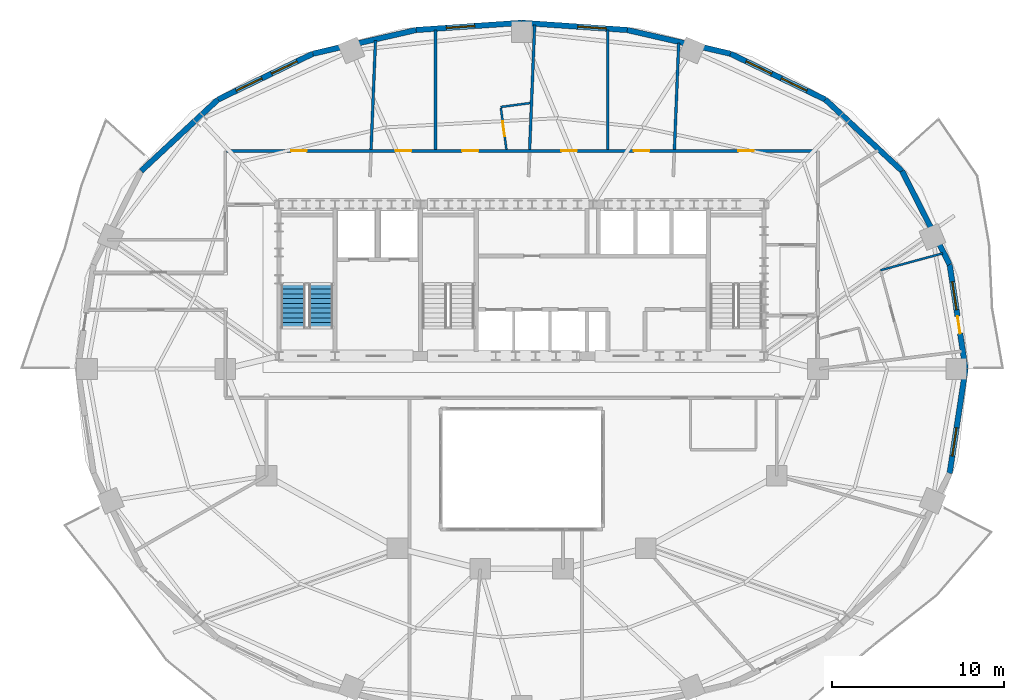
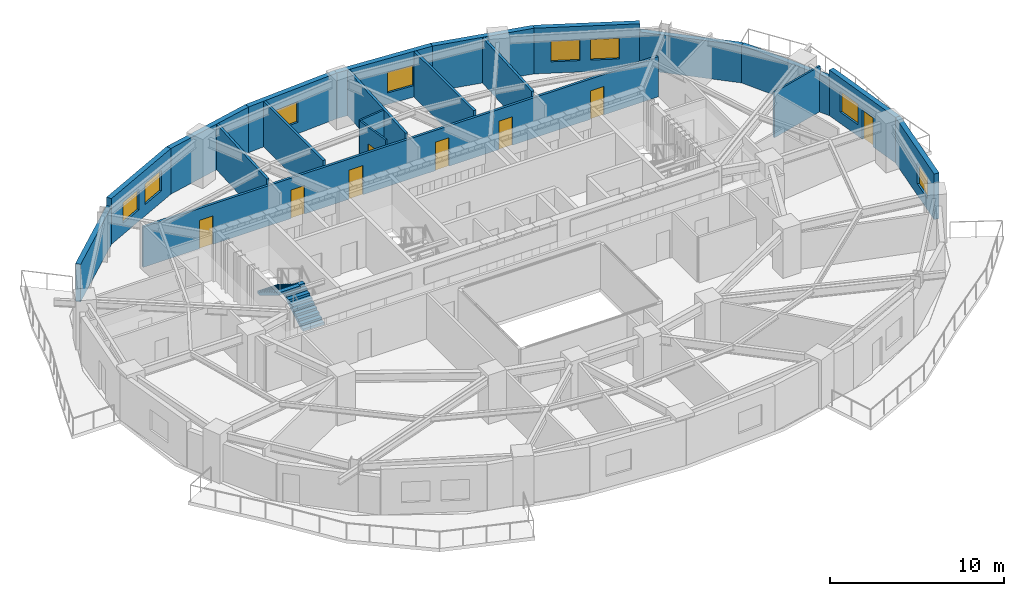
# One storey, part 8 of 13: 20 walls, 8 doors, 8 windows, 2 stair flights, 16 openings, 1 element without a shape of its own.
"""IFC4 building model written with IfcOpenShell, lengths in metres."""

from ifc_helpers import new_model, si_unit, direction, frame, frame_2d, origin, place, context, subcontext, project, spatial, polyline, rectangle, outline, extrude, material, layer, layer_set, type_object, element, fill, aggregate, save


model = new_model("IFC4")

# Units and contexts
model_context = context("Model", 3, precision=1e-05, world=origin(), true_north=direction((0.0, 1.0)))
body_context = subcontext(model_context, "Body", "Model", "MODEL_VIEW")
ifc_project = project(units=[si_unit("LENGTHUNIT", "METRE"), si_unit("AREAUNIT", "SQUARE_METRE"), si_unit("VOLUMEUNIT", "CUBIC_METRE"), si_unit("PLANEANGLEUNIT", "RADIAN"), si_unit("MASSUNIT", "GRAM", prefix="KILO")], contexts=[model_context])

# Site, building, storey
site_placement = place(None, origin())
site = spatial("IfcSite", under=ifc_project, at=site_placement, CompositionType="ELEMENT")
building_placement = place(site_placement, origin())
building = spatial("IfcBuilding", under=site, at=building_placement, Name="Haldorwick Loom Tower", CompositionType="ELEMENT")
storey_placement = place(building_placement, frame((0.0, 0.0, 142.550048828125)))
storey = spatial("IfcBuildingStorey", under=building, at=storey_placement, Name="L38", CompositionType="ELEMENT", Elevation=142.550048828125)

# Wall, openings, door, window
ifc_material_1 = material(Name="Pressed Clay Face Brick and Insulated Masonry Backup Assembly", Category="masonry")
ifc_layer_1 = layer(ifc_material_1, 0.320068359375, Name="Pressed Clay Face Brick and Insulated Masonry Backup Assembly", Category="masonry")
ifc_layer_set_1 = layer_set([ifc_layer_1], Name="Pressed Clay Face Brick and Insulated Masonry Backup Assembly")
wall_type_1 = type_object("IfcWallType", Name="ARC-WL-EXT320", PredefinedType="STANDARD", material=ifc_layer_set_1)
wall_1_placement = place(storey_placement, frame((61.757080078125, 26.0, 0.0), z_axis=(0.0, 0.0, 1.0), x_axis=(-0.150544467684, 0.988603238539, 0.0)))
wall_1 = element("IfcWall", 1, at=wall_1_placement, inside=storey, type_object=wall_type_1, Name="L38 Brick Pier and Spandrel Wall 1", PredefinedType="STANDARD", context=body_context, shape_type="SweptSolid", body=[
    extrude(rectangle(XDim=6.125244140625, YDim=0.320068359375, at=frame_2d((3.0625, 0.0))), origin(), (0.0, 0.0, 1.0), 3.2099609375),
])
opening_1_placement = place(wall_1_placement, frame((2.08203125, 0.0, 0.0)))
opening_1 = element("IfcOpeningElement", 2, at=opening_1_placement, cuts=wall_1, Name="Opening D-BL10", PredefinedType="OPENING", context=body_context, shape_type="SweptSolid", body=[
    extrude(rectangle(XDim=1.0, YDim=2.0400390625, at=frame_2d((0.5, 1.02001953125))), frame((0.0, 0.169921875, 0.0), z_axis=(0.0, -1.0, 0.0), x_axis=(1.0, 0.0, 0.0)), (0.0, 0.0, 1.0), 0.340087890625),
])
opening_2_placement = place(wall_1_placement, frame((3.462646484375, 0.0, 0.800048828125)))
opening_2 = element("IfcOpeningElement", 3, at=opening_2_placement, cuts=wall_1, Name="Opening W-01B", PredefinedType="OPENING", context=body_context, shape_type="SweptSolid", body=[
    extrude(rectangle(XDim=1.64990234375, YDim=1.449951171875, at=frame_2d((0.824951171875, 0.72509765625))), frame((0.0, 0.169921875, 0.0), z_axis=(0.0, -1.0, 0.0), x_axis=(1.0, 0.0, 0.0)), (0.0, 0.0, 1.0), 0.340087890625),
])
ifc_material_2 = material(Name="Thermally Broken Anodized Aluminium Curtain Wall Framing", Category="aluminium")
door_type_1 = type_object("IfcDoorType", Name="ARC-DR-BAL100", OperationType="NOTDEFINED", PredefinedType="DOOR", material=ifc_material_2)
door_1_placement = place(opening_1_placement, origin())
door_1 = element("IfcDoor", 4, at=door_1_placement, inside=storey, type_object=door_type_1, Name="L38 Outdoor Terrace Door SLB-L38-BAL_ENE", OperationType="SINGLE_SWING_RIGHT", OverallHeight=2.0400390625, OverallWidth=1.0, PredefinedType="DOOR", context=body_context, shape_type="SweptSolid", body=[
    extrude(rectangle(XDim=1.0, YDim=2.0400390625, at=frame_2d((0.5, 1.02001953125))), frame((0.0, 0.02490234375, 0.0), z_axis=(0.0, -1.0, 0.0), x_axis=(1.0, 0.0, 0.0)), (0.0, 0.0, 1.0), 0.050048828125),
])
fill(opening_1, door_1)
ifc_material_3 = material(Name="Triple-Glazed Low-E Argon Insulated Glazing Unit", Category="glass")
window_type = type_object("IfcWindowType", Name="ARC-WIN-W165", PartitioningType="SINGLE_PANEL", PredefinedType="WINDOW", material=ifc_material_3)
window_1_placement = place(opening_2_placement, origin())
window_1 = element("IfcWindow", 5, at=window_1_placement, inside=storey, type_object=window_type, Name="L38 Deep-Set Zone 7A Window 1", OverallHeight=1.449951171875, OverallWidth=1.64990234375, PartitioningType="SINGLE_PANEL", PredefinedType="WINDOW", context=body_context, shape_type="SweptSolid", body=[
    extrude(rectangle(XDim=1.64990234375, YDim=1.449951171875, at=frame_2d((0.824951171875, 0.72509765625))), frame((0.0, 0.030029296875, 0.0), z_axis=(0.0, -1.0, 0.0), x_axis=(1.0, 0.0, 0.0)), (0.0, 0.0, 1.0), 0.06005859375),
])
fill(opening_2, window_1)

# Walls
wall_2_placement = place(storey_placement, frame((60.8349609375, 32.055419921875, 0.0), z_axis=(0.0, 0.0, 1.0), x_axis=(-0.453172129629, 0.89142303141, 0.0)))
element("IfcWall", 6, at=wall_2_placement, inside=storey, type_object=wall_type_1, Name="L38 Brick Pier and Spandrel Wall 2", PredefinedType="STANDARD", context=body_context, shape_type="SweptSolid", body=[
    extrude(rectangle(XDim=6.086669921875, YDim=0.320068359375, at=frame_2d((3.04345703125, 0.0))), origin(), (0.0, 0.0, 1.0), 2.640869140625),
])
wall_3_placement = place(storey_placement, frame((58.07666015625, 37.481201171875, 0.0), z_axis=(0.0, 0.0, 1.0), x_axis=(-0.732001571644, 0.681302942244, 0.0)))
element("IfcWall", 7, at=wall_3_placement, inside=storey, type_object=wall_type_1, Name="L38 Brick Pier and Spandrel Wall 3", PredefinedType="STANDARD", context=body_context, shape_type="SweptSolid", body=[
    extrude(rectangle(XDim=6.0869140625, YDim=0.320068359375, at=frame_2d((3.04345703125, 0.0))), origin(), (0.0, 0.0, 1.0), 2.640869140625),
])

# Wall, openings, windows
wall_4_placement = place(storey_placement, frame((53.62109375, 41.628173828125, 0.0), z_axis=(0.0, 0.0, 1.0), x_axis=(-0.900472429216, 0.43491309962, 0.0)))
wall_4 = element("IfcWall", 8, at=wall_4_placement, inside=storey, type_object=wall_type_1, Name="L38 Brick Pier and Spandrel Wall 4", PredefinedType="STANDARD", context=body_context, shape_type="SweptSolid", body=[
    extrude(rectangle(XDim=6.1181640625, YDim=0.320068359375, at=frame_2d((3.05908203125, 0.0))), origin(), (0.0, 0.0, 1.0), 3.2099609375),
])
opening_3_placement = place(wall_4_placement, frame((1.181884765625, 0.0, 0.800048828125)))
opening_3 = element("IfcOpeningElement", 9, at=opening_3_placement, cuts=wall_4, Name="Opening W-01B", PredefinedType="OPENING", context=body_context, shape_type="SweptSolid", body=[
    extrude(rectangle(XDim=1.64990234375, YDim=1.449951171875, at=frame_2d((0.824951171875, 0.72509765625))), frame((0.0, 0.169921875, 0.0), z_axis=(0.0, -1.0, 0.0), x_axis=(1.0, 0.0, 0.0)), (0.0, 0.0, 1.0), 0.340087890625),
])
opening_4_placement = place(wall_4_placement, frame((3.4580078125, 0.0, 0.800048828125)))
opening_4 = element("IfcOpeningElement", 10, at=opening_4_placement, cuts=wall_4, Name="Opening W-01B", PredefinedType="OPENING", context=body_context, shape_type="SweptSolid", body=[
    extrude(rectangle(XDim=1.64990234375, YDim=1.449951171875, at=frame_2d((0.824951171875, 0.72509765625))), frame((0.0, 0.169921875, 0.0), z_axis=(0.0, -1.0, 0.0), x_axis=(1.0, 0.0, 0.0)), (0.0, 0.0, 1.0), 0.340087890625),
])
window_2_placement = place(opening_3_placement, origin())
window_2 = element("IfcWindow", 11, at=window_2_placement, inside=storey, type_object=window_type, Name="L38 Deep-Set Zone 7A Window 4", OverallHeight=1.449951171875, OverallWidth=1.64990234375, PartitioningType="SINGLE_PANEL", PredefinedType="WINDOW", context=body_context, shape_type="SweptSolid", body=[
    extrude(rectangle(XDim=1.64990234375, YDim=1.449951171875, at=frame_2d((0.824951171875, 0.72509765625))), frame((0.0, 0.030029296875, 0.0), z_axis=(0.0, -1.0, 0.0), x_axis=(1.0, 0.0, 0.0)), (0.0, 0.0, 1.0), 0.06005859375),
])
fill(opening_3, window_2)
window_3_placement = place(opening_4_placement, origin())
window_3 = element("IfcWindow", 12, at=window_3_placement, inside=storey, type_object=window_type, Name="L38 Deep-Set Zone 7A Window 4", OverallHeight=1.449951171875, OverallWidth=1.64990234375, PartitioningType="SINGLE_PANEL", PredefinedType="WINDOW", context=body_context, shape_type="SweptSolid", body=[
    extrude(rectangle(XDim=1.64990234375, YDim=1.449951171875, at=frame_2d((0.824951171875, 0.72509765625))), frame((0.0, 0.030029296875, 0.0), z_axis=(0.0, -1.0, 0.0), x_axis=(1.0, 0.0, 0.0)), (0.0, 0.0, 1.0), 0.06005859375),
])
fill(opening_4, window_3)

# Wall
wall_5_placement = place(storey_placement, frame((48.11181640625, 44.2890625, 0.0), z_axis=(0.0, 0.0, 1.0), x_axis=(-0.974593223547, 0.223982250674, 0.0)))
element("IfcWall", 13, at=wall_5_placement, inside=storey, type_object=wall_type_1, Name="L38 Brick Pier and Spandrel Wall 5", PredefinedType="STANDARD", context=body_context, shape_type="SweptSolid", body=[
    extrude(rectangle(XDim=6.138916015625, YDim=0.320068359375, at=frame_2d((3.0693359375, 0.0))), origin(), (0.0, 0.0, 1.0), 3.2099609375),
])

# Wall, opening, window
wall_6_placement = place(storey_placement, frame((42.12890625, 45.6640625, 0.0), z_axis=(0.0, 0.0, 1.0), x_axis=(-0.997652942988, 0.068473391522, 0.0)))
wall_6 = element("IfcWall", 14, at=wall_6_placement, inside=storey, type_object=wall_type_1, Name="L38 Brick Pier and Spandrel Wall 6", PredefinedType="STANDARD", context=body_context, shape_type="SweptSolid", body=[
    extrude(rectangle(XDim=6.143310546875, YDim=0.320068359375, at=frame_2d((3.07177734375, 0.0))), origin(), (0.0, 0.0, 1.0), 3.2099609375),
])
opening_5_placement = place(wall_6_placement, frame((1.233642578125, 0.0, 0.800048828125)))
opening_5 = element("IfcOpeningElement", 15, at=opening_5_placement, cuts=wall_6, Name="Opening W-01B", PredefinedType="OPENING", context=body_context, shape_type="SweptSolid", body=[
    extrude(rectangle(XDim=1.64990234375, YDim=1.449951171875, at=frame_2d((0.824951171875, 0.72509765625))), frame((0.0, 0.169921875, 0.0), z_axis=(0.0, -1.0, 0.0), x_axis=(1.0, 0.0, 0.0)), (0.0, 0.0, 1.0), 0.340087890625),
])
window_4_placement = place(opening_5_placement, origin())
window_4 = element("IfcWindow", 16, at=window_4_placement, inside=storey, type_object=window_type, Name="L38 Deep-Set Zone 7A Window 6", OverallHeight=1.449951171875, OverallWidth=1.64990234375, PartitioningType="SINGLE_PANEL", PredefinedType="WINDOW", context=body_context, shape_type="SweptSolid", body=[
    extrude(rectangle(XDim=1.64990234375, YDim=1.449951171875, at=frame_2d((0.824951171875, 0.72509765625))), frame((0.0, 0.030029296875, 0.0), z_axis=(0.0, -1.0, 0.0), x_axis=(1.0, 0.0, 0.0)), (0.0, 0.0, 1.0), 0.06005859375),
])
fill(opening_5, window_4)

wall_7_placement = place(storey_placement, frame((36.0, 46.084716796875, 0.0), z_axis=(0.0, 0.0, 1.0), x_axis=(-0.997652942988, -0.068473391522, 0.0)))
wall_7 = element("IfcWall", 17, at=wall_7_placement, inside=storey, type_object=wall_type_1, Name="L38 Brick Pier and Spandrel Wall 7", PredefinedType="STANDARD", context=body_context, shape_type="SweptSolid", body=[
    extrude(rectangle(XDim=6.143310546875, YDim=0.320068359375, at=frame_2d((3.07177734375, 0.0))), origin(), (0.0, 0.0, 1.0), 3.2099609375),
])
opening_6_placement = place(wall_7_placement, frame((2.723388671875, 0.0, 0.800048828125)))
opening_6 = element("IfcOpeningElement", 18, at=opening_6_placement, cuts=wall_7, Name="Opening W-01B", PredefinedType="OPENING", context=body_context, shape_type="SweptSolid", body=[
    extrude(rectangle(XDim=1.64990234375, YDim=1.449951171875, at=frame_2d((0.824951171875, 0.72509765625))), frame((0.0, 0.169921875, 0.0), z_axis=(0.0, -1.0, 0.0), x_axis=(1.0, 0.0, 0.0)), (0.0, 0.0, 1.0), 0.340087890625),
])
window_5_placement = place(opening_6_placement, origin())
window_5 = element("IfcWindow", 19, at=window_5_placement, inside=storey, type_object=window_type, Name="L38 Deep-Set Zone 7A Window 7", OverallHeight=1.449951171875, OverallWidth=1.64990234375, PartitioningType="SINGLE_PANEL", PredefinedType="WINDOW", context=body_context, shape_type="SweptSolid", body=[
    extrude(rectangle(XDim=1.64990234375, YDim=1.449951171875, at=frame_2d((0.824951171875, 0.72509765625))), frame((0.0, 0.030029296875, 0.0), z_axis=(0.0, -1.0, 0.0), x_axis=(1.0, 0.0, 0.0)), (0.0, 0.0, 1.0), 0.06005859375),
])
fill(opening_6, window_5)

# Wall
wall_8_placement = place(storey_placement, frame((29.87109375, 45.6640625, 0.0), z_axis=(0.0, 0.0, 1.0), x_axis=(-0.974593223547, -0.223982250674, 0.0)))
element("IfcWall", 20, at=wall_8_placement, inside=storey, type_object=wall_type_1, Name="L38 Brick Pier and Spandrel Wall 8", PredefinedType="STANDARD", context=body_context, shape_type="SweptSolid", body=[
    extrude(rectangle(XDim=6.138916015625, YDim=0.320068359375, at=frame_2d((3.0693359375, 0.0))), origin(), (0.0, 0.0, 1.0), 3.2099609375),
])

# Wall, openings, windows
wall_9_placement = place(storey_placement, frame((23.88818359375, 44.2890625, 0.0), z_axis=(0.0, 0.0, 1.0), x_axis=(-0.900479976617, -0.434897472644, 0.0)))
wall_9 = element("IfcWall", 21, at=wall_9_placement, inside=storey, type_object=wall_type_1, Name="L38 Brick Pier and Spandrel Wall 9", PredefinedType="STANDARD", context=body_context, shape_type="SweptSolid", body=[
    extrude(rectangle(XDim=6.118408203125, YDim=0.320068359375, at=frame_2d((3.05908203125, 0.0))), origin(), (0.0, 0.0, 1.0), 3.2099609375),
])
opening_7_placement = place(wall_9_placement, frame((1.010498046875, 0.0, 0.800048828125)))
opening_7 = element("IfcOpeningElement", 22, at=opening_7_placement, cuts=wall_9, Name="Opening W-01B", PredefinedType="OPENING", context=body_context, shape_type="SweptSolid", body=[
    extrude(rectangle(XDim=1.64990234375, YDim=1.449951171875, at=frame_2d((0.824951171875, 0.72509765625))), frame((0.0, 0.169921875, 0.0), z_axis=(0.0, -1.0, 0.0), x_axis=(1.0, 0.0, 0.0)), (0.0, 0.0, 1.0), 0.340087890625),
])
opening_8_placement = place(wall_9_placement, frame((3.28662109375, 0.0, 0.800048828125)))
opening_8 = element("IfcOpeningElement", 23, at=opening_8_placement, cuts=wall_9, Name="Opening W-01B", PredefinedType="OPENING", context=body_context, shape_type="SweptSolid", body=[
    extrude(rectangle(XDim=1.64990234375, YDim=1.449951171875, at=frame_2d((0.824951171875, 0.72509765625))), frame((0.0, 0.169921875, 0.0), z_axis=(0.0, -1.0, 0.0), x_axis=(1.0, 0.0, 0.0)), (0.0, 0.0, 1.0), 0.340087890625),
])
window_6_placement = place(opening_7_placement, origin())
window_6 = element("IfcWindow", 24, at=window_6_placement, inside=storey, type_object=window_type, Name="L38 Deep-Set Zone 7A Window 9", OverallHeight=1.449951171875, OverallWidth=1.64990234375, PartitioningType="SINGLE_PANEL", PredefinedType="WINDOW", context=body_context, shape_type="SweptSolid", body=[
    extrude(rectangle(XDim=1.64990234375, YDim=1.449951171875, at=frame_2d((0.824951171875, 0.72509765625))), frame((0.0, 0.030029296875, 0.0), z_axis=(0.0, -1.0, 0.0), x_axis=(1.0, 0.0, 0.0)), (0.0, 0.0, 1.0), 0.06005859375),
])
fill(opening_7, window_6)
window_7_placement = place(opening_8_placement, origin())
window_7 = element("IfcWindow", 25, at=window_7_placement, inside=storey, type_object=window_type, Name="L38 Deep-Set Zone 7A Window 9", OverallHeight=1.449951171875, OverallWidth=1.64990234375, PartitioningType="SINGLE_PANEL", PredefinedType="WINDOW", context=body_context, shape_type="SweptSolid", body=[
    extrude(rectangle(XDim=1.64990234375, YDim=1.449951171875, at=frame_2d((0.824951171875, 0.72509765625))), frame((0.0, 0.030029296875, 0.0), z_axis=(0.0, -1.0, 0.0), x_axis=(1.0, 0.0, 0.0)), (0.0, 0.0, 1.0), 0.06005859375),
])
fill(opening_8, window_7)

# Wall
wall_10_placement = place(storey_placement, frame((18.378662109375, 41.628173828125, 0.0), z_axis=(0.0, 0.0, 1.0), x_axis=(-0.731982952968, -0.681322945866, 0.0)))
element("IfcWall", 26, at=wall_10_placement, inside=storey, type_object=wall_type_1, Name="L38 Brick Pier and Spandrel Wall 10", PredefinedType="STANDARD", context=body_context, shape_type="SweptSolid", body=[
    extrude(rectangle(XDim=6.086669921875, YDim=0.320068359375, at=frame_2d((3.04345703125, 0.0))), origin(), (0.0, 0.0, 1.0), 2.640869140625),
])

# Wall, opening, window
wall_11_placement = place(storey_placement, frame((60.8349609375, 19.944580078125, 0.0), z_axis=(0.0, 0.0, 1.0), x_axis=(0.150544467684, 0.988603238539, 0.0)))
wall_11 = element("IfcWall", 27, at=wall_11_placement, inside=storey, type_object=wall_type_1, Name="L38 Brick Pier and Spandrel Wall 24", PredefinedType="STANDARD", context=body_context, shape_type="SweptSolid", body=[
    extrude(rectangle(XDim=6.125244140625, YDim=0.320068359375, at=frame_2d((3.0625, 0.0))), origin(), (0.0, 0.0, 1.0), 3.2099609375),
])
opening_9_placement = place(wall_11_placement, frame((1.0126953125, 0.0, 0.800048828125)))
opening_9 = element("IfcOpeningElement", 28, at=opening_9_placement, cuts=wall_11, Name="Opening W-01B", PredefinedType="OPENING", context=body_context, shape_type="SweptSolid", body=[
    extrude(rectangle(XDim=1.64990234375, YDim=1.449951171875, at=frame_2d((0.824951171875, 0.72509765625))), frame((0.0, 0.169921875, 0.0), z_axis=(0.0, -1.0, 0.0), x_axis=(1.0, 0.0, 0.0)), (0.0, 0.0, 1.0), 0.340087890625),
])
window_8_placement = place(opening_9_placement, origin())
window_8 = element("IfcWindow", 29, at=window_8_placement, inside=storey, type_object=window_type, Name="L38 Deep-Set Zone 7A Window 24", OverallHeight=1.449951171875, OverallWidth=1.64990234375, PartitioningType="SINGLE_PANEL", PredefinedType="WINDOW", context=body_context, shape_type="SweptSolid", body=[
    extrude(rectangle(XDim=1.64990234375, YDim=1.449951171875, at=frame_2d((0.824951171875, 0.72509765625))), frame((0.0, 0.030029296875, 0.0), z_axis=(0.0, -1.0, 0.0), x_axis=(1.0, 0.0, 0.0)), (0.0, 0.0, 1.0), 0.06005859375),
])
fill(opening_9, window_8)

# Wall, openings, doors
ifc_material_4 = material(Name="Fire-Rated Type X Gypsum Stud Assembly EI 60")
ifc_layer_2 = layer(ifc_material_4, 0.159912109375, Name="Fire-Rated Type X Gypsum Stud Assembly EI 60")
ifc_layer_set_2 = layer_set([ifc_layer_2], Name="Fire-Rated Type X Gypsum Stud Assembly EI 60")
wall_type_2 = type_object("IfcWallType", Name="ARC-WL-FIRE160", PredefinedType="PARTITIONING", material=ifc_layer_set_2)
wall_12_placement = place(storey_placement, frame((18.883056640625, 38.64990234375, 0.0), z_axis=(0.0, 0.0, 1.0), x_axis=(1.0, 0.0, 0.0)))
wall_12 = element("IfcWall", 30, at=wall_12_placement, inside=storey, type_object=wall_type_2, Name="L38 Residential Fire Partition L38-CR-N0", PredefinedType="PARTITIONING", context=body_context, shape_type="SweptSolid", body=[
    extrude(rectangle(XDim=34.23388671875, YDim=0.159912109375, at=frame_2d((17.116943359375, 0.0))), origin(), (0.0, 0.0, 1.0), 2.826904296875),
])
opening_10_placement = place(wall_12_placement, frame((3.746337890625, 0.0, 0.0)))
opening_10 = element("IfcOpeningElement", 31, at=opening_10_placement, cuts=wall_12, Name="Opening D-FD60A", PredefinedType="OPENING", context=body_context, shape_type="SweptSolid", body=[
    extrude(rectangle(XDim=0.89990234375, YDim=2.0, at=frame_2d((0.449951171875, 1.0))), frame((0.0, 0.08984375, 0.0), z_axis=(0.0, -1.0, 0.0), x_axis=(1.0, 0.0, 0.0)), (0.0, 0.0, 1.0), 0.179931640625),
])
opening_11_placement = place(wall_12_placement, frame((29.697998046875, 0.0, 0.0)))
opening_11 = element("IfcOpeningElement", 32, at=opening_11_placement, cuts=wall_12, Name="Opening D-FD60A", PredefinedType="OPENING", context=body_context, shape_type="SweptSolid", body=[
    extrude(rectangle(XDim=0.89990234375, YDim=2.0, at=frame_2d((0.449951171875, 1.0))), frame((0.0, 0.08984375, 0.0), z_axis=(0.0, -1.0, 0.0), x_axis=(1.0, 0.0, 0.0)), (0.0, 0.0, 1.0), 0.179931640625),
])
opening_12_placement = place(wall_12_placement, frame((19.427734375, 0.0, 0.0)))
opening_12 = element("IfcOpeningElement", 33, at=opening_12_placement, cuts=wall_12, Name="Opening D-FD60A", PredefinedType="OPENING", context=body_context, shape_type="SweptSolid", body=[
    extrude(rectangle(XDim=0.89990234375, YDim=2.0, at=frame_2d((0.449951171875, 1.0))), frame((0.0, 0.08984375, 0.0), z_axis=(0.0, -1.0, 0.0), x_axis=(1.0, 0.0, 0.0)), (0.0, 0.0, 1.0), 0.179931640625),
])
opening_13_placement = place(wall_12_placement, frame((13.660400390625, 0.0, 0.0)))
opening_13 = element("IfcOpeningElement", 34, at=opening_13_placement, cuts=wall_12, Name="Opening D-FL95", PredefinedType="OPENING", context=body_context, shape_type="SweptSolid", body=[
    extrude(rectangle(XDim=0.949951171875, YDim=2.0400390625, at=frame_2d((0.47509765625, 1.02001953125))), frame((0.0, 0.08984375, 0.0), z_axis=(0.0, -1.0, 0.0), x_axis=(1.0, 0.0, 0.0)), (0.0, 0.0, 1.0), 0.179931640625),
])
opening_14_placement = place(wall_12_placement, frame((23.624267578125, 0.0, 0.0)))
opening_14 = element("IfcOpeningElement", 35, at=opening_14_placement, cuts=wall_12, Name="Opening D-FD60A", PredefinedType="OPENING", context=body_context, shape_type="SweptSolid", body=[
    extrude(rectangle(XDim=0.89990234375, YDim=2.0, at=frame_2d((0.449951171875, 1.0))), frame((0.0, 0.08984375, 0.0), z_axis=(0.0, -1.0, 0.0), x_axis=(1.0, 0.0, 0.0)), (0.0, 0.0, 1.0), 0.179931640625),
])
opening_15_placement = place(wall_12_placement, frame((9.8203125, 0.0, 0.0)))
opening_15 = element("IfcOpeningElement", 36, at=opening_15_placement, cuts=wall_12, Name="Opening D-FD60A", PredefinedType="OPENING", context=body_context, shape_type="SweptSolid", body=[
    extrude(rectangle(XDim=0.89990234375, YDim=2.0, at=frame_2d((0.449951171875, 1.0))), frame((0.0, 0.08984375, 0.0), z_axis=(0.0, -1.0, 0.0), x_axis=(1.0, 0.0, 0.0)), (0.0, 0.0, 1.0), 0.179931640625),
])
ifc_material_5 = material(Name="Hollow Steel Fire Door Assembly", Category="steel")
door_type_2 = type_object("IfcDoorType", Name="ARC-DR-FD60-90", OperationType="NOTDEFINED", PredefinedType="DOOR", material=ifc_material_5)
door_2_placement = place(opening_10_placement, frame((0.89990234375, 0.0, 0.0), z_axis=(0.0, 0.0, 1.0), x_axis=(-1.0, 0.0, 0.0)))
door_2 = element("IfcDoor", 37, at=door_2_placement, inside=storey, type_object=door_type_2, Name="L38 Shared Resident Dining Hall 5 to L38 North Residential Corridor Door", OperationType="SINGLE_SWING_RIGHT", OverallHeight=2.0, OverallWidth=0.89990234375, PredefinedType="DOOR", context=body_context, shape_type="SweptSolid", body=[
    extrude(rectangle(XDim=0.89990234375, YDim=2.0, at=frame_2d((0.449951171875, 1.0))), frame((0.0, 0.02490234375, 0.0), z_axis=(0.0, -1.0, 0.0), x_axis=(1.0, 0.0, 0.0)), (0.0, 0.0, 1.0), 0.050048828125),
])
fill(opening_10, door_2)
door_3_placement = place(opening_11_placement, frame((0.89990234375, 0.0, 0.0), z_axis=(0.0, 0.0, 1.0), x_axis=(-1.0, 0.0, 0.0)))
door_3 = element("IfcDoor", 38, at=door_3_placement, inside=storey, type_object=door_type_2, Name="L38 Resident Cafe Room 2 to L38 North Residential Corridor Door", OperationType="SINGLE_SWING_LEFT", OverallHeight=2.0, OverallWidth=0.89990234375, PredefinedType="DOOR", context=body_context, shape_type="SweptSolid", body=[
    extrude(rectangle(XDim=0.89990234375, YDim=2.0, at=frame_2d((0.449951171875, 1.0))), frame((0.0, 0.02490234375, 0.0), z_axis=(0.0, -1.0, 0.0), x_axis=(1.0, 0.0, 0.0)), (0.0, 0.0, 1.0), 0.050048828125),
])
fill(opening_11, door_3)
door_4_placement = place(opening_12_placement, frame((0.89990234375, 0.0, 0.0), z_axis=(0.0, 0.0, 1.0), x_axis=(-1.0, 0.0, 0.0)))
door_4 = element("IfcDoor", 39, at=door_4_placement, inside=storey, type_object=door_type_2, Name="L38 Tenant Committee Meeting Room 12 to L38 North Residential Corridor D", OperationType="SINGLE_SWING_RIGHT", OverallHeight=2.0, OverallWidth=0.89990234375, PredefinedType="DOOR", context=body_context, shape_type="SweptSolid", body=[
    extrude(rectangle(XDim=0.89990234375, YDim=2.0, at=frame_2d((0.449951171875, 1.0))), frame((0.0, 0.02490234375, 0.0), z_axis=(0.0, -1.0, 0.0), x_axis=(1.0, 0.0, 0.0)), (0.0, 0.0, 1.0), 0.050048828125),
])
fill(opening_12, door_4)
door_5_placement = place(opening_14_placement, frame((0.89990234375, 0.0, 0.0), z_axis=(0.0, 0.0, 1.0), x_axis=(-1.0, 0.0, 0.0)))
door_5 = element("IfcDoor", 40, at=door_5_placement, inside=storey, type_object=door_type_2, Name="L38 Wellness Consultation Room 11 to L38 North Residential Corridor Door", OperationType="SINGLE_SWING_LEFT", OverallHeight=2.0, OverallWidth=0.89990234375, PredefinedType="DOOR", context=body_context, shape_type="SweptSolid", body=[
    extrude(rectangle(XDim=0.89990234375, YDim=2.0, at=frame_2d((0.449951171875, 1.0))), frame((0.0, 0.02490234375, 0.0), z_axis=(0.0, -1.0, 0.0), x_axis=(1.0, 0.0, 0.0)), (0.0, 0.0, 1.0), 0.050048828125),
])
fill(opening_14, door_5)
door_6_placement = place(opening_15_placement, frame((0.89990234375, 0.0, 0.0), z_axis=(0.0, 0.0, 1.0), x_axis=(-1.0, 0.0, 0.0)))
door_6 = element("IfcDoor", 41, at=door_6_placement, inside=storey, type_object=door_type_2, Name="L38 Tenant Committee Meeting Room 10 to L38 North Residential Corridor D", OperationType="SINGLE_SWING_LEFT", OverallHeight=2.0, OverallWidth=0.89990234375, PredefinedType="DOOR", context=body_context, shape_type="SweptSolid", body=[
    extrude(rectangle(XDim=0.89990234375, YDim=2.0, at=frame_2d((0.449951171875, 1.0))), frame((0.0, 0.02490234375, 0.0), z_axis=(0.0, -1.0, 0.0), x_axis=(1.0, 0.0, 0.0)), (0.0, 0.0, 1.0), 0.050048828125),
])
fill(opening_15, door_6)
ifc_material_6 = material(Name="Solid Core Birch Architectural Door")
door_type_3 = type_object("IfcDoorType", Name="ARC-DR-FLAT95", OperationType="NOTDEFINED", PredefinedType="DOOR", material=ifc_material_6)
door_7_placement = place(opening_13_placement, frame((0.949951171875, 0.0, 0.0), z_axis=(0.0, 0.0, 1.0), x_axis=(-1.0, 0.0, 0.0)))
door_7 = element("IfcDoor", 42, at=door_7_placement, inside=storey, type_object=door_type_3, Name="L38 Unit 38F Kitchen and Studio Living Room to L38 North Residential Cor", OperationType="SINGLE_SWING_RIGHT", OverallHeight=2.0400390625, OverallWidth=0.949951171875, PredefinedType="DOOR", context=body_context, shape_type="SweptSolid", body=[
    extrude(rectangle(XDim=0.949951171875, YDim=2.0400390625, at=frame_2d((0.47509765625, 1.02001953125))), frame((0.0, 0.02490234375, 0.0), z_axis=(0.0, -1.0, 0.0), x_axis=(1.0, 0.0, 0.0)), (0.0, 0.0, 1.0), 0.050048828125),
])
fill(opening_13, door_7)

# Walls
for number, where, z_axis, x_axis, name in (
    (43, (31.0, 38.73291015625, 0.0), (0.0, 0.0, 1.0), (0.0, 1.0, 0.0), "L38 Residential Fire Partition L38-NBP-0"),
    (44, (41.0, 38.73291015625, 0.0), (0.0, 0.0, 1.0), (0.0, 1.0, 0.0), "L38 Residential Fire Partition L38-NBP-1"),
):
    element("IfcWall", number, at=place(storey_placement, frame(where, z_axis=z_axis, x_axis=x_axis)), inside=storey, type_object=wall_type_2, Name=name, PredefinedType="PARTITIONING", context=body_context, shape_type="SweptSolid", body=[
        extrude(rectangle(XDim=6.943359375, YDim=0.159912109375, at=frame_2d((3.4716796875, 0.0))), origin(), (0.0, 0.0, 1.0), 3.195068359375),
    ])
wall_13_placement = place(storey_placement, frame((27.264404296875, 38.73291015625, 0.0), z_axis=(0.0, 0.0, 1.0), x_axis=(0.040539530961, 0.99917793532, 0.0)))
element("IfcWall", 45, at=wall_13_placement, inside=storey, type_object=wall_type_2, Name="L38 Residential Fire Partition L38-UPN-12", PredefinedType="PARTITIONING", context=body_context, shape_type="SweptSolid", body=[
    extrude(rectangle(XDim=6.329345703125, YDim=0.159912109375, at=frame_2d((3.16455078125, 0.0))), origin(), (0.0, 0.0, 1.0), 3.195068359375),
])
wall_14_placement = place(storey_placement, frame((36.46435546875, 38.73291015625, 0.0), z_axis=(0.0, 0.0, 1.0), x_axis=(0.040530922585, 0.999178284549, 0.0)))
element("IfcWall", 46, at=wall_14_placement, inside=storey, type_object=wall_type_2, Name="L38 Residential Fire Partition L38-UPN-13", PredefinedType="PARTITIONING", context=body_context, shape_type="SweptSolid", body=[
    extrude(rectangle(XDim=7.240234375, YDim=0.159912109375, at=frame_2d((3.6201171875, 0.0))), origin(), (0.0, 0.0, 1.0), 3.195068359375),
])
wall_15_placement = place(storey_placement, frame((44.8642578125, 38.73291015625, 0.0), z_axis=(0.0, 0.0, 1.0), x_axis=(0.040551481586, 0.999177450377, 0.0)))
element("IfcWall", 47, at=wall_15_placement, inside=storey, type_object=wall_type_2, Name="L38 Residential Fire Partition L38-UPN-14", PredefinedType="PARTITIONING", context=body_context, shape_type="SweptSolid", body=[
    extrude(rectangle(XDim=6.18310546875, YDim=0.159912109375, at=frame_2d((3.091552734375, 0.0))), origin(), (0.0, 0.0, 1.0), 3.195068359375),
])
ifc_material_7 = material(Name="Acoustic Gypsum Stud Assembly STC 55")
ifc_layer_3 = layer(ifc_material_7, 0.1201171875, Name="Acoustic Gypsum Stud Assembly STC 55")
ifc_layer_set_3 = layer_set([ifc_layer_3], Name="Acoustic Gypsum Stud Assembly STC 55")
wall_type_3 = type_object("IfcWallType", Name="ARC-WL-PART120", PredefinedType="PARTITIONING", material=ifc_layer_set_3)
wall_16_placement = place(storey_placement, frame((56.8251953125, 31.72509765625, 0.0), z_axis=(0.0, 0.0, 1.0), x_axis=(0.965012118881, 0.262205282961, 0.0)))
element("IfcWall", 48, at=wall_16_placement, inside=storey, type_object=wall_type_3, Name="L38 Unit 38D Interior Partition", PredefinedType="PARTITIONING", context=body_context, shape_type="SweptSolid", body=[
    extrude(rectangle(XDim=3.737548828125, YDim=0.1201171875, at=frame_2d((1.86865234375, 0.0))), origin(), (0.0, 0.0, 1.0), 3.195068359375),
])
wall_17_placement = place(storey_placement, frame((36.490478515625, 41.4248046875, 0.0), z_axis=(0.0, 0.0, 1.0), x_axis=(-0.991252724576, -0.131977407232, 0.0)))
element("IfcWall", 49, at=wall_17_placement, inside=storey, type_object=wall_type_3, Name="L38 Unit 38F Interior Partition", PredefinedType="PARTITIONING", context=body_context, shape_type="SweptSolid", body=[
    extrude(rectangle(XDim=1.716796875, YDim=0.1201171875, at=frame_2d((0.8583984375, 0.0))), origin(), (0.0, 0.0, 1.0), 3.195068359375),
])

# Wall, opening, door
wall_18_placement = place(storey_placement, frame((35.116943359375, 38.73291015625, 0.0), z_axis=(0.0, 0.0, 1.0), x_axis=(-0.13193941223, 0.991257782567, 0.0)))
wall_18 = element("IfcWall", 50, at=wall_18_placement, inside=storey, type_object=wall_type_3, Name="L38 Unit 38F Interior Partition", PredefinedType="PARTITIONING", context=body_context, shape_type="SweptSolid", body=[
    extrude(rectangle(XDim=2.424072265625, YDim=0.1201171875, at=frame_2d((1.2119140625, 0.0))), origin(), (0.0, 0.0, 1.0), 3.195068359375),
])
opening_16_placement = place(wall_18_placement, frame((0.77197265625, 0.0, 0.0)))
opening_16 = element("IfcOpeningElement", 51, at=opening_16_placement, cuts=wall_18, Name="Opening D-BT88", PredefinedType="OPENING", context=body_context, shape_type="SweptSolid", body=[
    extrude(rectangle(XDim=0.8798828125, YDim=2.02001953125, at=frame_2d((0.43994140625, 1.010009765625))), frame((0.0, 0.070068359375, 0.0), z_axis=(0.0, -1.0, 0.0), x_axis=(1.0, 0.0, 0.0)), (0.0, 0.0, 1.0), 0.14013671875),
])
door_type_4 = type_object("IfcDoorType", Name="ARC-DR-BATH88", OperationType="NOTDEFINED", PredefinedType="DOOR", material=ifc_material_6)
door_8_placement = place(opening_16_placement, origin())
door_8 = element("IfcDoor", 52, at=door_8_placement, inside=storey, type_object=door_type_4, Name="L38 Unit 38F Kitchen and Studio Living Room to Unit 38F Bathroom Door", OperationType="SINGLE_SWING_RIGHT", OverallHeight=2.02001953125, OverallWidth=0.8798828125, PredefinedType="DOOR", context=body_context, shape_type="SweptSolid", body=[
    extrude(rectangle(XDim=0.8798828125, YDim=2.02001953125, at=frame_2d((0.43994140625, 1.010009765625))), frame((0.0, 0.02490234375, 0.0), z_axis=(0.0, -1.0, 0.0), x_axis=(1.0, 0.0, 0.0)), (0.0, 0.0, 1.0), 0.050048828125),
])
fill(opening_16, door_8)

# Stair, stair flights
ifc_material_8 = material(Name="Concrete C40 (40 MPa)", Category="concrete")
stair_type = type_object("IfcStairType", Name="STR-STR-CORE", PredefinedType="HALF_TURN_STAIR", material=ifc_material_8)
stair_placement = place(storey_placement, origin())
stair = element("IfcStair", 53, at=stair_placement, inside=storey, type_object=stair_type, Name="L38 Exit Stair ST-01", PredefinedType="HALF_TURN_STAIR")
stair_flight_type = type_object("IfcStairFlightType", Name="STR-STF-1250", PredefinedType="STRAIGHT", material=ifc_material_8)
stair_flight_1_placement = place(storey_placement, frame((24.35009765625, 28.39990234375, 0.0), z_axis=(0.0, 0.0, 1.0), x_axis=(0.0, 1.0, 0.0)))
stair_flight_1 = element("IfcStairFlight", 54, at=stair_flight_1_placement, type_object=stair_flight_type, Name="ST-01 flight 1", NumberOfRisers=10, NumberOfTreads=9, PredefinedType="STRAIGHT", RiserHeight=0.1725, TreadLength=0.28, context=body_context, shape_type="SweptSolid", body=[
    extrude(outline(polyline([(0.0, 0.0), (0.0, 0.172607421875), (0.280029296875, 0.172607421875), (0.280029296875, 0.344970703125), (0.56005859375, 0.344970703125), (0.56005859375, 0.517578125), (0.840087890625, 0.517578125), (0.840087890625, 0.68994140625), (1.1201171875, 0.68994140625), (1.1201171875, 0.862548828125), (1.39990234375, 0.862548828125), (1.39990234375, 1.034912109375), (1.679931640625, 1.034912109375), (1.679931640625, 1.20751953125), (1.9599609375, 1.20751953125), (1.9599609375, 1.3798828125), (2.239990234375, 1.3798828125), (2.239990234375, 1.552490234375), (2.52001953125, 1.552490234375), (2.52001953125, 1.72509765625), (2.52001953125, 1.37646484375), (0.285888671875, 0.0), (0.0, 0.0)])), frame((0.0, 0.699951171875, 0.0), z_axis=(0.0, -1.0, 0.0), x_axis=(1.0, 0.0, 0.0)), (0.0, 0.0, 1.0), 1.39990234375),
])
stair_flight_2_placement = place(storey_placement, frame((22.75, 30.919921875, 1.724853515625), z_axis=(0.0, 0.0, 1.0), x_axis=(0.0, -1.0, 0.0)))
stair_flight_2 = element("IfcStairFlight", 55, at=stair_flight_2_placement, type_object=stair_flight_type, Name="ST-01 flight 2", NumberOfRisers=10, NumberOfTreads=9, PredefinedType="STRAIGHT", RiserHeight=0.1725, TreadLength=0.28, context=body_context, shape_type="SweptSolid", body=[
    extrude(outline(polyline([(0.0, 0.0), (0.0, 0.172607421875), (0.280029296875, 0.172607421875), (0.280029296875, 0.344970703125), (0.56005859375, 0.344970703125), (0.56005859375, 0.517578125), (0.840087890625, 0.517578125), (0.840087890625, 0.68994140625), (1.1201171875, 0.68994140625), (1.1201171875, 0.862548828125), (1.39990234375, 0.862548828125), (1.39990234375, 1.034912109375), (1.679931640625, 1.034912109375), (1.679931640625, 1.20751953125), (1.9599609375, 1.20751953125), (1.9599609375, 1.3798828125), (2.239990234375, 1.3798828125), (2.239990234375, 1.552490234375), (2.52001953125, 1.552490234375), (2.52001953125, 1.72509765625), (2.52001953125, 1.37646484375), (0.285888671875, 0.0), (0.0, 0.0)])), frame((0.0, 0.699951171875, 0.0), z_axis=(0.0, -1.0, 0.0), x_axis=(1.0, 0.0, 0.0)), (0.0, 0.0, 1.0), 1.39990234375),
])
aggregate(stair, [stair_flight_1, stair_flight_2])

save(model, "model.ifc")
